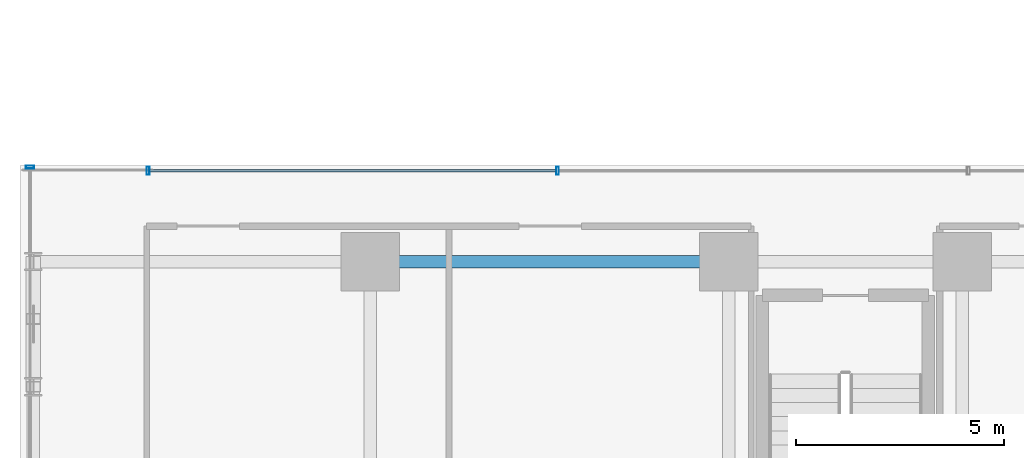
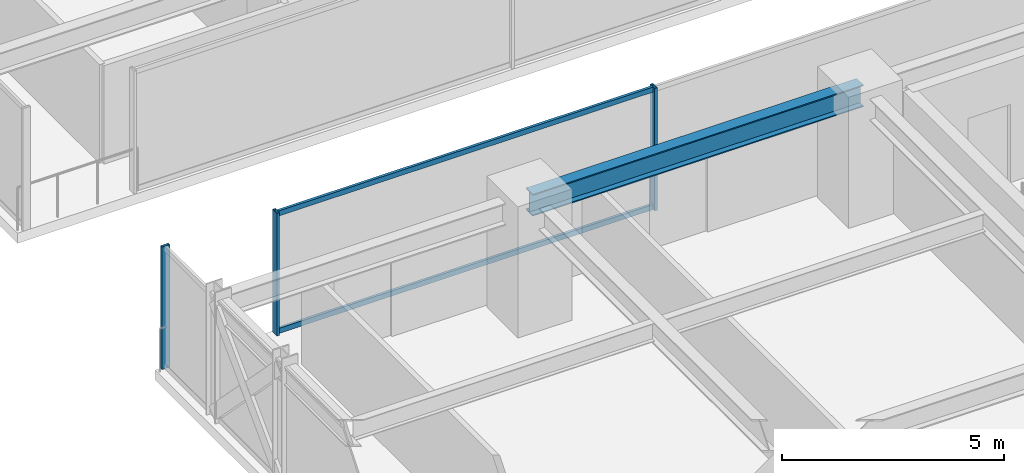
# One storey, part 9 of 41: 5 members, 1 beam, 2 elements without a shape of their own.
"""IFC4 building model written with IfcOpenShell, lengths in metres."""

from ifc_helpers import new_model, si_unit, direction, frame, origin, origin_2d, place, context, subcontext, project, spatial, hollow_rectangle, i_section, extrude, source, transform, mapped, material, material_profile, profile_set, type_object, element, aggregate, save


model = new_model("IFC4")

# Units and contexts
model_context = context("Model", 3, precision=1e-05, world=origin(), true_north=direction((0.0, 1.0)))
body_context = subcontext(model_context, "Body", "Model", "MODEL_VIEW")
ifc_project = project(units=[si_unit("LENGTHUNIT", "METRE"), si_unit("AREAUNIT", "SQUARE_METRE"), si_unit("VOLUMEUNIT", "CUBIC_METRE"), si_unit("PLANEANGLEUNIT", "RADIAN"), si_unit("MASSUNIT", "GRAM", prefix="KILO")], contexts=[model_context])

# Site, building, storey
site_placement = place(None, origin())
site = spatial("IfcSite", under=ifc_project, at=site_placement, CompositionType="ELEMENT")
building_placement = place(site_placement, origin())
building = spatial("IfcBuilding", under=site, at=building_placement, Name="Nahalor Promenade Grand Hotel", CompositionType="ELEMENT")
storey_placement = place(building_placement, frame((0.0, 0.0, 54.300048828125)))
storey = spatial("IfcBuildingStorey", under=building, at=storey_placement, Name="L12", CompositionType="ELEMENT", Elevation=54.300048828125)

# Beam
ifc_material_1 = material(Name="Steel S355JR", Category="steel")
ifc_material_profile_1 = material_profile(ifc_material_1, i_section(OverallWidth=0.3, OverallDepth=0.6, WebThickness=0.0155, FlangeThickness=0.03, at=origin_2d()), Name="HEB 600")
ifc_profile_set_1 = profile_set([ifc_material_profile_1], Name="Steel S355JR")
beam_type = type_object("IfcBeamType", Name="Beam-Girder-HEB600", PredefinedType="BEAM", material=ifc_profile_set_1)
shared_shape_1 = source(origin(), body_context, "Body", "SweptSolid", [
    extrude(i_section(OverallWidth=0.3, OverallDepth=0.6, WebThickness=0.0155, FlangeThickness=0.03, at=origin_2d()), origin(), (0.0, 0.0, 1.0), 8.60009765625),
])
beam_placement = place(storey_placement, frame((-17.0, -5.39990234375, 3.070068359375), z_axis=(1.0, 0.0, 0.0), x_axis=(0.0, 1.0, 0.0)))
element("IfcBeam", 1, at=beam_placement, inside=storey, type_object=beam_type, Name="BM-L12-GX-1-1", PredefinedType="BEAM", context=body_context, shape_type="MappedRepresentation", body=[
    mapped(shared_shape_1, transform((0.0, 0.0, 0.0), scale=1.0)),
])

# Curtain wall, member
ifc_material_2 = material(Name="Anodised Bronze Aluminium EN AW-6063 T6", Category="aluminium")
curtain_wall_type = type_object("IfcCurtainWallType", Name="CW3 Elliptical-Void Collar Unitised Curtain Wall", PredefinedType="USERDEFINED", material=ifc_material_2)
curtain_wall_1_placement = place(storey_placement, origin())
curtain_wall_1 = element("IfcCurtainWall", 2, at=curtain_wall_1_placement, inside=storey, type_object=curtain_wall_type, Name="L12 Curtain Wall CW-L12-W-1", ObjectType="UNITISED_CURTAIN_WALL", PredefinedType="USERDEFINED")
ifc_material_profile_2 = material_profile(ifc_material_2, hollow_rectangle(XDim=0.07, YDim=0.2, WallThickness=0.005, at=origin_2d()), Name="CWM 70x200x5")
ifc_profile_set_2 = profile_set([ifc_material_profile_2], Name="Anodised Bronze Aluminium EN AW-6063 T6")
member_type_1 = type_object("IfcMemberType", Name="CWM3 Void Collar Mullion 70x200", PredefinedType="MULLION", material=ifc_profile_set_2)
shared_shape_2 = source(origin(), body_context, "Body", "SweptSolid", [
    extrude(hollow_rectangle(XDim=0.07, YDim=0.2, WallThickness=0.005, at=origin_2d()), origin(), (0.0, 0.0, 1.0), 3.369873046875),
])
member_1_placement = place(storey_placement, frame((-25.159912109375, -3.135009765625, 0.0), z_axis=(0.0, 0.0, 1.0), x_axis=(0.0, 1.0, 0.0)))
member_1 = element("IfcMember", 3, at=member_1_placement, type_object=member_type_1, Name="CW-L12-W-1 Mullion 2", PredefinedType="MULLION", context=body_context, shape_type="MappedRepresentation", body=[
    mapped(shared_shape_2, transform((0.0, 0.0, 0.0), scale=1.0)),
])
aggregate(curtain_wall_1, [member_1])

# Curtain wall, members
curtain_wall_2_placement = place(storey_placement, origin())
curtain_wall_2 = element("IfcCurtainWall", 4, at=curtain_wall_2_placement, inside=storey, type_object=curtain_wall_type, Name="L12 Curtain Wall CW-L12-VOID-WS1", ObjectType="UNITISED_CURTAIN_WALL", PredefinedType="USERDEFINED")
member_2_placement = place(storey_placement, frame((-22.324951171875, -3.219970703125, 0.0), z_axis=(0.0, 0.0, 1.0), x_axis=(1.0, 0.0, 0.0)))
member_2 = element("IfcMember", 5, at=member_2_placement, type_object=member_type_1, Name="CW-L12-VOID-WS1 Mullion 0", PredefinedType="MULLION", context=body_context, shape_type="MappedRepresentation", body=[
    mapped(shared_shape_2, transform((0.0, 0.0, 0.0), scale=1.0)),
])
member_3_placement = place(storey_placement, frame((-12.506591796875, -3.219970703125, 0.0), z_axis=(0.0, 0.0, 1.0), x_axis=(1.0, 0.0, 0.0)))
member_3 = element("IfcMember", 6, at=member_3_placement, type_object=member_type_1, Name="CW-L12-VOID-WS1 Mullion 1", PredefinedType="MULLION", context=body_context, shape_type="MappedRepresentation", body=[
    mapped(shared_shape_2, transform((0.0, 0.0, 0.0), scale=1.0)),
])
ifc_material_profile_3 = material_profile(ifc_material_2, hollow_rectangle(XDim=0.07, YDim=0.14, WallThickness=0.004, at=origin_2d()), Name="CWT 70x140x4")
ifc_profile_set_3 = profile_set([ifc_material_profile_3], Name="Anodised Bronze Aluminium EN AW-6063 T6")
member_type_2 = type_object("IfcMemberType", Name="CWT3 Void Collar Transom 70x140", PredefinedType="USERDEFINED", material=ifc_profile_set_3)
shared_shape_3 = source(origin(), body_context, "Body", "SweptSolid", [
    extrude(hollow_rectangle(XDim=0.07, YDim=0.14, WallThickness=0.004, at=origin_2d()), origin(), (0.0, 0.0, 1.0), 9.748291015625),
])
member_4_placement = place(storey_placement, frame((-22.2900390625, -3.219970703125, 0.070068359375), z_axis=(1.0, 0.0, 0.0), x_axis=(0.0, 1.0, 0.0)))
member_4 = element("IfcMember", 7, at=member_4_placement, type_object=member_type_2, Name="CW-L12-VOID-WS1 Transom 0-0", ObjectType="TRANSOM", PredefinedType="USERDEFINED", context=body_context, shape_type="MappedRepresentation", body=[
    mapped(shared_shape_3, transform((0.0, 0.0, 0.0), scale=1.0)),
])
member_5_placement = place(storey_placement, frame((-22.2900390625, -3.219970703125, 3.300048828125), z_axis=(1.0, 0.0, 0.0), x_axis=(0.0, 1.0, 0.0)))
member_5 = element("IfcMember", 8, at=member_5_placement, type_object=member_type_2, Name="CW-L12-VOID-WS1 Transom 0-1", ObjectType="TRANSOM", PredefinedType="USERDEFINED", context=body_context, shape_type="MappedRepresentation", body=[
    mapped(shared_shape_3, transform((0.0, 0.0, 0.0), scale=1.0)),
])
aggregate(curtain_wall_2, [member_2, member_3, member_4, member_5])

save(model, "model.ifc")
